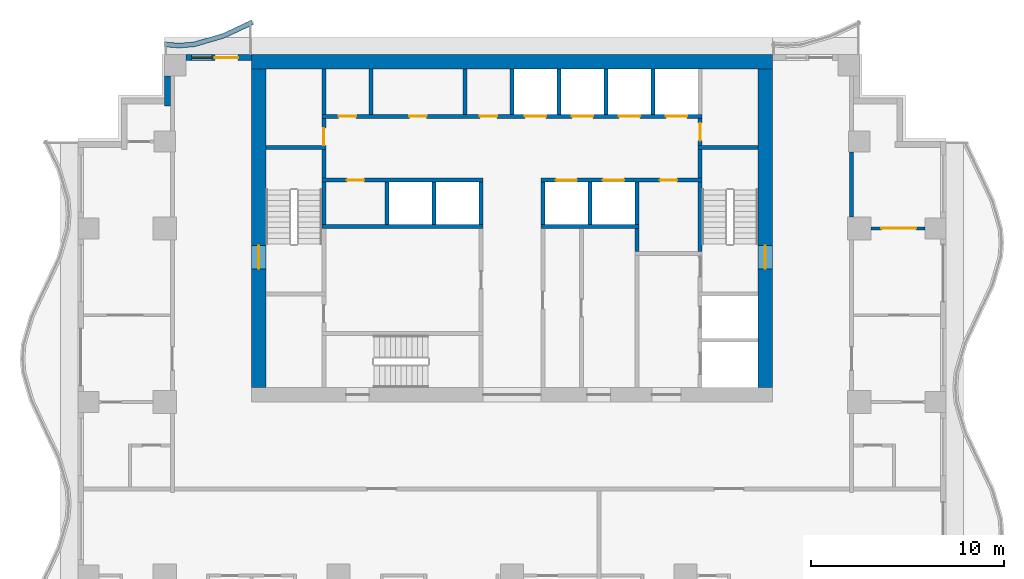
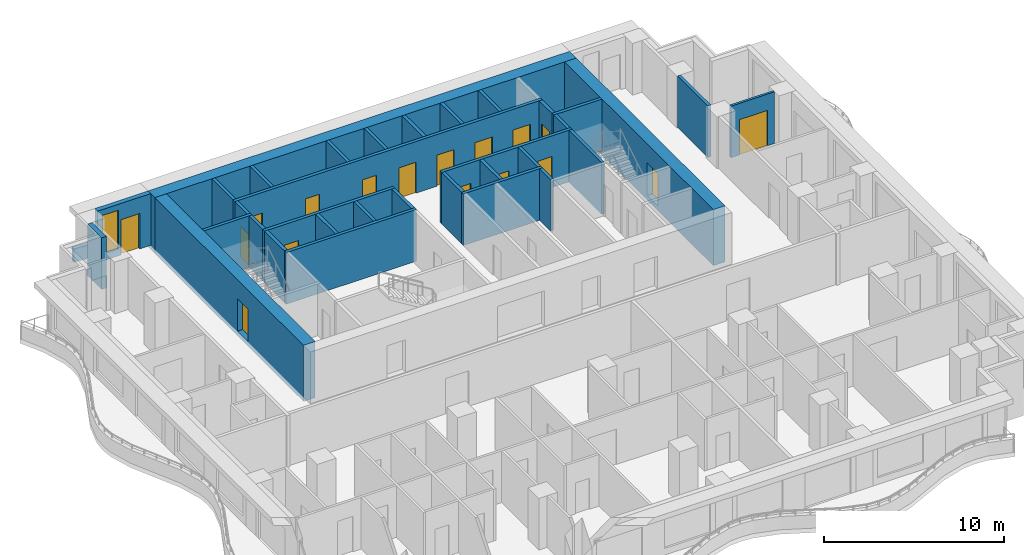
# One storey, part 5 of 10: 35 walls, 17 doors, 1 window, 18 openings.
"""IFC4 building model written with IfcOpenShell, lengths in metres."""

from ifc_helpers import new_model, si_unit, direction, frame, frame_2d, origin, place, context, subcontext, project, spatial, polyline, rectangle, outline, extrude, material, layer, layer_set, type_object, element, fill, save


model = new_model("IFC4")

# Units and contexts
model_context = context("Model", 3, precision=1e-05, world=origin(), true_north=direction((0.0, 1.0)))
body_context = subcontext(model_context, "Body", "Model", "MODEL_VIEW")
ifc_project = project(units=[si_unit("LENGTHUNIT", "METRE"), si_unit("AREAUNIT", "SQUARE_METRE"), si_unit("VOLUMEUNIT", "CUBIC_METRE"), si_unit("PLANEANGLEUNIT", "RADIAN"), si_unit("MASSUNIT", "GRAM", prefix="KILO")], contexts=[model_context])

# Site, building, storey
site_placement = place(None, origin())
site = spatial("IfcSite", under=ifc_project, at=site_placement, CompositionType="ELEMENT")
building_placement = place(site_placement, origin())
building = spatial("IfcBuilding", under=site, at=building_placement, Name="Orbiselva Terraces", CompositionType="ELEMENT")
storey_placement = place(building_placement, frame((0.0, 0.0, 159.2)))
storey = spatial("IfcBuildingStorey", under=building, at=storey_placement, Name="L40", CompositionType="ELEMENT", Elevation=159.2)

# Wall, opening, door
ifc_material_1 = material(Name="Concrete C80/95", Category="concrete")
ifc_layer_1 = layer(ifc_material_1, 0.75)
ifc_layer_set_1 = layer_set([ifc_layer_1], Name="Concrete C80/95")
wall_type_1 = type_object("IfcWallType", Name="CORE WALL 750", PredefinedType="SHEAR", material=ifc_layer_set_1)
wall_1_placement = place(storey_placement, frame((13.125, 5.25, -0.3), z_axis=(0.0, 0.0, 1.0), x_axis=(0.0, 1.0, 0.0)))
wall_1 = element("IfcWall", 1, at=wall_1_placement, inside=storey, type_object=wall_type_1, Name="Core wall L40 east", PredefinedType="SHEAR", context=body_context, shape_type="SweptSolid", body=[
    extrude(rectangle(XDim=16.5, YDim=0.75, at=frame_2d((8.25, 0.0))), origin(), (0.0, 0.0, 1.0), 3.8),
])
opening_1_placement = place(wall_1_placement, frame((6.15, 0.0, 0.3)))
opening_1 = element("IfcOpeningElement", 2, at=opening_1_placement, cuts=wall_1, Name="Opening DS1200", PredefinedType="OPENING", context=body_context, shape_type="SweptSolid", body=[
    extrude(rectangle(XDim=1.2, YDim=2.2, at=frame_2d((0.6, 1.1))), frame((0.0, 0.385, 0.0), z_axis=(0.0, -1.0, 0.0), x_axis=(1.0, 0.0, 0.0)), (0.0, 0.0, 1.0), 0.77),
])
ifc_material_2 = material(Name="Steel fire door", Category="steel")
door_type_1 = type_object("IfcDoorType", Name="STAIR DOOR 1200", OperationType="NOTDEFINED", PredefinedType="DOOR", material=ifc_material_2)
door_1_placement = place(opening_1_placement, frame((1.2, 0.0, 0.0), z_axis=(0.0, 0.0, 1.0), x_axis=(-1.0, 0.0, 0.0)))
door_1 = element("IfcDoor", 3, at=door_1_placement, inside=storey, type_object=door_type_1, Name="L40 EXIT STAIR S2 door", OperationType="SINGLE_SWING_LEFT", OverallHeight=2.2, OverallWidth=1.2, PredefinedType="DOOR", context=body_context, shape_type="SweptSolid", body=[
    extrude(rectangle(XDim=1.2, YDim=2.2, at=frame_2d((0.6, 1.1))), frame((0.0, 0.025, 0.0), z_axis=(0.0, -1.0, 0.0), x_axis=(1.0, 0.0, 0.0)), (0.0, 0.0, 1.0), 0.05),
])
fill(opening_1, door_1)

wall_2_placement = place(storey_placement, frame((-13.125, 21.75, -0.3), z_axis=(0.0, 0.0, 1.0), x_axis=(0.0, -1.0, 0.0)))
wall_2 = element("IfcWall", 4, at=wall_2_placement, inside=storey, type_object=wall_type_1, Name="Core wall L40 west", PredefinedType="SHEAR", context=body_context, shape_type="SweptSolid", body=[
    extrude(rectangle(XDim=16.5, YDim=0.75, at=frame_2d((8.25, 0.0))), origin(), (0.0, 0.0, 1.0), 3.8),
])
opening_2_placement = place(wall_2_placement, frame((9.15, 0.0, 0.3)))
opening_2 = element("IfcOpeningElement", 5, at=opening_2_placement, cuts=wall_2, Name="Opening DS1200", PredefinedType="OPENING", context=body_context, shape_type="SweptSolid", body=[
    extrude(rectangle(XDim=1.2, YDim=2.2, at=frame_2d((0.6, 1.1))), frame((0.0, 0.385, 0.0), z_axis=(0.0, -1.0, 0.0), x_axis=(1.0, 0.0, 0.0)), (0.0, 0.0, 1.0), 0.77),
])
door_2_placement = place(opening_2_placement, frame((1.2, 0.0, 0.0), z_axis=(0.0, 0.0, 1.0), x_axis=(-1.0, 0.0, 0.0)))
door_2 = element("IfcDoor", 6, at=door_2_placement, inside=storey, type_object=door_type_1, Name="L40 EXIT STAIR S1 door", OperationType="SINGLE_SWING_RIGHT", OverallHeight=2.2, OverallWidth=1.2, PredefinedType="DOOR", context=body_context, shape_type="SweptSolid", body=[
    extrude(rectangle(XDim=1.2, YDim=2.2, at=frame_2d((0.6, 1.1))), frame((0.0, 0.025, 0.0), z_axis=(0.0, -1.0, 0.0), x_axis=(1.0, 0.0, 0.0)), (0.0, 0.0, 1.0), 0.05),
])
fill(opening_2, door_2)

# Wall
ifc_layer_2 = layer(ifc_material_1, 0.75)
ifc_layer_set_2 = layer_set([ifc_layer_2], Name="Concrete C80/95")
wall_type_2 = type_object("IfcWallType", Name="CORE WALL 750 EXTERNAL", PredefinedType="SHEAR", material=ifc_layer_set_2)
wall_3_placement = place(storey_placement, frame((13.5, 22.125, -0.3), z_axis=(0.0, 0.0, 1.0), x_axis=(-1.0, 0.0, 0.0)))
element("IfcWall", 7, at=wall_3_placement, inside=storey, type_object=wall_type_2, Name="Core wall L40 north", PredefinedType="SHEAR", context=body_context, shape_type="SweptSolid", body=[
    extrude(rectangle(XDim=27.0, YDim=0.75, at=frame_2d((13.5, 0.0))), origin(), (0.0, 0.0, 1.0), 3.8),
])

# Wall, opening, door
ifc_material_3 = material(Name="Masonry blockwork", Category="masonry")
ifc_layer_3 = layer(ifc_material_3, 0.2)
ifc_layer_set_3 = layer_set([ifc_layer_3], Name="Masonry blockwork")
wall_type_3 = type_object("IfcWallType", Name="CORE-WALL-PARTITION-200", PredefinedType="PARTITIONING", material=ifc_layer_set_3)
wall_4_placement = place(storey_placement, frame((-9.75, 17.8, 0.0), z_axis=(0.0, 0.0, 1.0), x_axis=(0.0, 1.0, 0.0)))
wall_4 = element("IfcWall", 8, at=wall_4_placement, inside=storey, type_object=wall_type_3, Name="L40 core wall 11", PredefinedType="PARTITIONING", context=body_context, shape_type="SweptSolid", body=[
    extrude(rectangle(XDim=1.4, YDim=0.2, at=frame_2d((0.7, 0.0))), origin(), (0.0, 0.0, 1.0), 3.5),
])
opening_3_placement = place(wall_4_placement, origin())
opening_3 = element("IfcOpeningElement", 9, at=opening_3_placement, cuts=wall_4, Name="Opening DR900", PredefinedType="OPENING", context=body_context, shape_type="SweptSolid", body=[
    extrude(rectangle(XDim=0.9, YDim=2.1, at=frame_2d((0.45, 1.05))), frame((0.0, 0.11, 0.0), z_axis=(0.0, -1.0, 0.0), x_axis=(1.0, 0.0, 0.0)), (0.0, 0.0, 1.0), 0.22),
])
door_type_2 = type_object("IfcDoorType", Name="ROOM DOOR 900", OperationType="NOTDEFINED", PredefinedType="DOOR", material=ifc_material_2)
door_3_placement = place(opening_3_placement, origin())
door_3 = element("IfcDoor", 10, at=door_3_placement, inside=storey, type_object=door_type_2, Name="L40 ELECTRICAL RISER ROOM door", OperationType="SINGLE_SWING_LEFT", OverallHeight=2.1, OverallWidth=0.9, PredefinedType="DOOR", context=body_context, shape_type="SweptSolid", body=[
    extrude(rectangle(XDim=0.9, YDim=2.1, at=frame_2d((0.45, 1.05))), frame((0.0, 0.025, 0.0), z_axis=(0.0, -1.0, 0.0), x_axis=(1.0, 0.0, 0.0)), (0.0, 0.0, 1.0), 0.05),
])
fill(opening_3, door_3)

# Walls
for number, where, z_axis, x_axis, name in (
    (11, (-9.75, 19.4, 0.0), (0.0, 0.0, 1.0), (0.0, 1.0, 0.0), "L40 core wall 13"),
    (12, (-7.3125, 19.4, 0.0), (0.0, 0.0, 1.0), (0.0, 1.0, 0.0), "L40 core wall 14"),
    (13, (-2.4375, 19.4, 0.0), (0.0, 0.0, 1.0), (0.0, 1.0, 0.0), "L40 core wall 17"),
):
    element("IfcWall", number, at=place(storey_placement, frame(where, z_axis=z_axis, x_axis=x_axis)), inside=storey, type_object=wall_type_3, Name=name, PredefinedType="PARTITIONING", context=body_context, shape_type="SweptSolid", body=[
        extrude(rectangle(XDim=2.35, YDim=0.2, at=frame_2d((1.175, 0.0))), origin(), (0.0, 0.0, 1.0), 3.5),
    ])
wall_5_placement = place(storey_placement, frame((6.475, 12.3, 0.0), z_axis=(0.0, 0.0, 1.0), x_axis=(0.0, 1.0, 0.0)))
element("IfcWall", 14, at=wall_5_placement, inside=storey, type_object=wall_type_3, Name="L40 core wall 32", PredefinedType="PARTITIONING", context=body_context, shape_type="SweptSolid", body=[
    extrude(rectangle(XDim=1.2, YDim=0.2, at=frame_2d((0.6, 0.0))), origin(), (0.0, 0.0, 1.0), 3.5),
])

# Wall, opening, door
wall_6_placement = place(storey_placement, frame((9.75, 19.2, 0.0), z_axis=(0.0, 0.0, 1.0), x_axis=(0.0, -1.0, 0.0)))
wall_6 = element("IfcWall", 15, at=wall_6_placement, inside=storey, type_object=wall_type_3, Name="L40 core wall 43", PredefinedType="PARTITIONING", context=body_context, shape_type="SweptSolid", body=[
    extrude(rectangle(XDim=1.4, YDim=0.2, at=frame_2d((0.7, 0.0))), origin(), (0.0, 0.0, 1.0), 3.5),
])
opening_4_placement = place(wall_6_placement, frame((0.25, 0.0, 0.0)))
opening_4 = element("IfcOpeningElement", 16, at=opening_4_placement, cuts=wall_6, Name="Opening DR900", PredefinedType="OPENING", context=body_context, shape_type="SweptSolid", body=[
    extrude(rectangle(XDim=0.9, YDim=2.1, at=frame_2d((0.45, 1.05))), frame((0.0, 0.11, 0.0), z_axis=(0.0, -1.0, 0.0), x_axis=(1.0, 0.0, 0.0)), (0.0, 0.0, 1.0), 0.22),
])
door_4_placement = place(opening_4_placement, origin())
door_4 = element("IfcDoor", 17, at=door_4_placement, inside=storey, type_object=door_type_2, Name="L40 COMMS RISER ROOM door", OperationType="SINGLE_SWING_RIGHT", OverallHeight=2.1, OverallWidth=0.9, PredefinedType="DOOR", context=body_context, shape_type="SweptSolid", body=[
    extrude(rectangle(XDim=0.9, YDim=2.1, at=frame_2d((0.45, 1.05))), frame((0.0, 0.025, 0.0), z_axis=(0.0, -1.0, 0.0), x_axis=(1.0, 0.0, 0.0)), (0.0, 0.0, 1.0), 0.05),
])
fill(opening_4, door_4)

# Walls
ifc_material_4 = material(Name="Concrete C40/50", Category="concrete")
ifc_layer_4 = layer(ifc_material_4, 0.2)
ifc_layer_set_4 = layer_set([ifc_layer_4], Name="Concrete C40/50")
wall_type_4 = type_object("IfcWallType", Name="CORE-WALL-SHAFT-200", PredefinedType="PARTITIONING", material=ifc_layer_set_4)
for number, where, z_axis, x_axis, name in (
    (18, (-6.475, 13.7, 0.0), (0.0, 0.0, 1.0), (0.0, 1.0, 0.0), "L40 core wall 15"),
    (19, (-4.0375, 13.7, 0.0), (0.0, 0.0, 1.0), (0.0, 1.0, 0.0), "L40 core wall 16"),
    (20, (-1.6, 13.7, 0.0), (0.0, 0.0, 1.0), (0.0, 1.0, 0.0), "L40 core wall 20"),
):
    element("IfcWall", number, at=place(storey_placement, frame(where, z_axis=z_axis, x_axis=x_axis)), inside=storey, type_object=wall_type_4, Name=name, PredefinedType="PARTITIONING", context=body_context, shape_type="SweptSolid", body=[
        extrude(rectangle(XDim=2.2, YDim=0.2, at=frame_2d((1.1, 0.0))), origin(), (0.0, 0.0, 1.0), 3.5),
    ])
wall_7_placement = place(storey_placement, frame((0.0, 19.4, 0.0), z_axis=(0.0, 0.0, 1.0), x_axis=(0.0, 1.0, 0.0)))
element("IfcWall", 21, at=wall_7_placement, inside=storey, type_object=wall_type_4, Name="L40 core wall 21", PredefinedType="PARTITIONING", context=body_context, shape_type="SweptSolid", body=[
    extrude(rectangle(XDim=2.35, YDim=0.2, at=frame_2d((1.175, 0.0))), origin(), (0.0, 0.0, 1.0), 3.5),
])
wall_8_placement = place(storey_placement, frame((1.6, 13.7, 0.0), z_axis=(0.0, 0.0, 1.0), x_axis=(0.0, 1.0, 0.0)))
element("IfcWall", 22, at=wall_8_placement, inside=storey, type_object=wall_type_4, Name="L40 core wall 24", PredefinedType="PARTITIONING", context=body_context, shape_type="SweptSolid", body=[
    extrude(rectangle(XDim=2.2, YDim=0.2, at=frame_2d((1.1, 0.0))), origin(), (0.0, 0.0, 1.0), 3.5),
])
wall_9_placement = place(storey_placement, frame((2.4375, 19.4, 0.0), z_axis=(0.0, 0.0, 1.0), x_axis=(0.0, 1.0, 0.0)))
element("IfcWall", 23, at=wall_9_placement, inside=storey, type_object=wall_type_4, Name="L40 core wall 26", PredefinedType="PARTITIONING", context=body_context, shape_type="SweptSolid", body=[
    extrude(rectangle(XDim=2.35, YDim=0.2, at=frame_2d((1.175, 0.0))), origin(), (0.0, 0.0, 1.0), 3.5),
])
wall_10_placement = place(storey_placement, frame((4.0375, 13.7, 0.0), z_axis=(0.0, 0.0, 1.0), x_axis=(0.0, 1.0, 0.0)))
element("IfcWall", 24, at=wall_10_placement, inside=storey, type_object=wall_type_4, Name="L40 core wall 28", PredefinedType="PARTITIONING", context=body_context, shape_type="SweptSolid", body=[
    extrude(rectangle(XDim=2.2, YDim=0.2, at=frame_2d((1.1, 0.0))), origin(), (0.0, 0.0, 1.0), 3.5),
])
wall_11_placement = place(storey_placement, frame((4.875, 19.4, 0.0), z_axis=(0.0, 0.0, 1.0), x_axis=(0.0, 1.0, 0.0)))
element("IfcWall", 25, at=wall_11_placement, inside=storey, type_object=wall_type_4, Name="L40 core wall 29", PredefinedType="PARTITIONING", context=body_context, shape_type="SweptSolid", body=[
    extrude(rectangle(XDim=2.35, YDim=0.2, at=frame_2d((1.175, 0.0))), origin(), (0.0, 0.0, 1.0), 3.5),
])
wall_12_placement = place(storey_placement, frame((6.475, 13.7, 0.0), z_axis=(0.0, 0.0, 1.0), x_axis=(0.0, 1.0, 0.0)))
element("IfcWall", 26, at=wall_12_placement, inside=storey, type_object=wall_type_4, Name="L40 core wall 33", PredefinedType="PARTITIONING", context=body_context, shape_type="SweptSolid", body=[
    extrude(rectangle(XDim=2.2, YDim=0.2, at=frame_2d((1.1, 0.0))), origin(), (0.0, 0.0, 1.0), 3.5),
])
wall_13_placement = place(storey_placement, frame((7.3125, 19.4, 0.0), z_axis=(0.0, 0.0, 1.0), x_axis=(0.0, 1.0, 0.0)))
element("IfcWall", 27, at=wall_13_placement, inside=storey, type_object=wall_type_4, Name="L40 core wall 34", PredefinedType="PARTITIONING", context=body_context, shape_type="SweptSolid", body=[
    extrude(rectangle(XDim=2.35, YDim=0.2, at=frame_2d((1.175, 0.0))), origin(), (0.0, 0.0, 1.0), 3.5),
])
ifc_material_5 = material(Name="Concrete C60/75", Category="concrete")
ifc_layer_5 = layer(ifc_material_5, 0.2)
ifc_layer_set_5 = layer_set([ifc_layer_5], Name="Concrete C60/75")
wall_type_5 = type_object("IfcWallType", Name="CORE-WALL-SHEAR-200", PredefinedType="SHEAR", material=ifc_layer_set_5)
wall_14_placement = place(storey_placement, frame((-12.75, 17.7, 0.0), z_axis=(0.0, 0.0, 1.0), x_axis=(1.0, 0.0, 0.0)))
element("IfcWall", 28, at=wall_14_placement, inside=storey, type_object=wall_type_5, Name="L40 core wall 02", PredefinedType="SHEAR", context=body_context, shape_type="SweptSolid", body=[
    extrude(rectangle(XDim=3.1, YDim=0.2, at=frame_2d((1.55, 0.0))), origin(), (0.0, 0.0, 1.0), 3.5),
])
wall_15_placement = place(storey_placement, frame((-9.85, 13.6, 0.0), z_axis=(0.0, 0.0, 1.0), x_axis=(1.0, 0.0, 0.0)))
element("IfcWall", 29, at=wall_15_placement, inside=storey, type_object=wall_type_5, Name="L40 core wall 07", PredefinedType="SHEAR", context=body_context, shape_type="SweptSolid", body=[
    extrude(rectangle(XDim=8.35, YDim=0.2, at=frame_2d((4.175, 0.0))), origin(), (0.0, 0.0, 1.0), 3.5),
])
wall_16_placement = place(storey_placement, frame((-9.75, 13.7, 0.0), z_axis=(0.0, 0.0, 1.0), x_axis=(0.0, 1.0, 0.0)))
element("IfcWall", 30, at=wall_16_placement, inside=storey, type_object=wall_type_5, Name="L40 core wall 08", PredefinedType="SHEAR", context=body_context, shape_type="SweptSolid", body=[
    extrude(rectangle(XDim=2.2, YDim=0.2, at=frame_2d((1.1, 0.0))), origin(), (0.0, 0.0, 1.0), 3.5),
])

# Wall, opening, door
wall_17_placement = place(storey_placement, frame((-1.5, 16.0, 0.0), z_axis=(0.0, 0.0, 1.0), x_axis=(-1.0, 0.0, 0.0)))
wall_17 = element("IfcWall", 31, at=wall_17_placement, inside=storey, type_object=wall_type_5, Name="L40 core wall 09", PredefinedType="SHEAR", context=body_context, shape_type="SweptSolid", body=[
    extrude(rectangle(XDim=8.35, YDim=0.2, at=frame_2d((4.175, 0.0))), origin(), (0.0, 0.0, 1.0), 3.5),
])
opening_5_placement = place(wall_17_placement, frame((6.1625, 0.0, 0.0)))
opening_5 = element("IfcOpeningElement", 32, at=opening_5_placement, cuts=wall_17, Name="Opening DR900", PredefinedType="OPENING", context=body_context, shape_type="SweptSolid", body=[
    extrude(rectangle(XDim=0.9, YDim=2.1, at=frame_2d((0.45, 1.05))), frame((0.0, 0.11, 0.0), z_axis=(0.0, -1.0, 0.0), x_axis=(1.0, 0.0, 0.0)), (0.0, 0.0, 1.0), 0.22),
])
door_5_placement = place(opening_5_placement, origin())
door_5 = element("IfcDoor", 33, at=door_5_placement, inside=storey, type_object=door_type_2, Name="L40 IT ROOM door", OperationType="SINGLE_SWING_RIGHT", OverallHeight=2.1, OverallWidth=0.9, PredefinedType="DOOR", context=body_context, shape_type="SweptSolid", body=[
    extrude(rectangle(XDim=0.9, YDim=2.1, at=frame_2d((0.45, 1.05))), frame((0.0, 0.025, 0.0), z_axis=(0.0, -1.0, 0.0), x_axis=(1.0, 0.0, 0.0)), (0.0, 0.0, 1.0), 0.05),
])
fill(opening_5, door_5)

# Wall
wall_18_placement = place(storey_placement, frame((-9.75, 16.1, 0.0), z_axis=(0.0, 0.0, 1.0), x_axis=(0.0, 1.0, 0.0)))
element("IfcWall", 34, at=wall_18_placement, inside=storey, type_object=wall_type_5, Name="L40 core wall 10", PredefinedType="SHEAR", context=body_context, shape_type="SweptSolid", body=[
    extrude(rectangle(XDim=1.5, YDim=0.2, at=frame_2d((0.75, 0.0))), origin(), (0.0, 0.0, 1.0), 3.5),
])

# Wall, openings, doors
wall_19_placement = place(storey_placement, frame((-9.85, 19.3, 0.0), z_axis=(0.0, 0.0, 1.0), x_axis=(1.0, 0.0, 0.0)))
wall_19 = element("IfcWall", 35, at=wall_19_placement, inside=storey, type_object=wall_type_5, Name="L40 core wall 12", PredefinedType="SHEAR", context=body_context, shape_type="SweptSolid", body=[
    extrude(rectangle(XDim=19.7, YDim=0.2, at=frame_2d((9.85, 0.0))), origin(), (0.0, 0.0, 1.0), 3.5),
])
opening_6_placement = place(wall_19_placement, frame((10.51875, 0.0, 0.0)))
opening_6 = element("IfcOpeningElement", 36, at=opening_6_placement, cuts=wall_19, Name="Opening LD-HR1", PredefinedType="OPENING", context=body_context, shape_type="SweptSolid", body=[
    extrude(rectangle(XDim=1.1, YDim=2.1, at=frame_2d((0.55, 1.05))), frame((0.0, 0.11, 0.0), z_axis=(0.0, -1.0, 0.0), x_axis=(1.0, 0.0, 0.0)), (0.0, 0.0, 1.0), 0.22),
])
opening_7_placement = place(wall_19_placement, frame((12.95625, 0.0, 0.0)))
opening_7 = element("IfcOpeningElement", 37, at=opening_7_placement, cuts=wall_19, Name="Opening LD-HR2", PredefinedType="OPENING", context=body_context, shape_type="SweptSolid", body=[
    extrude(rectangle(XDim=1.1, YDim=2.1, at=frame_2d((0.55, 1.05))), frame((0.0, 0.11, 0.0), z_axis=(0.0, -1.0, 0.0), x_axis=(1.0, 0.0, 0.0)), (0.0, 0.0, 1.0), 0.22),
])
opening_8_placement = place(wall_19_placement, frame((15.39375, 0.0, 0.0)))
opening_8 = element("IfcOpeningElement", 38, at=opening_8_placement, cuts=wall_19, Name="Opening LD-HR3", PredefinedType="OPENING", context=body_context, shape_type="SweptSolid", body=[
    extrude(rectangle(XDim=1.1, YDim=2.1, at=frame_2d((0.55, 1.05))), frame((0.0, 0.11, 0.0), z_axis=(0.0, -1.0, 0.0), x_axis=(1.0, 0.0, 0.0)), (0.0, 0.0, 1.0), 0.22),
])
opening_9_placement = place(wall_19_placement, frame((17.83125, 0.0, 0.0)))
opening_9 = element("IfcOpeningElement", 39, at=opening_9_placement, cuts=wall_19, Name="Opening LD-HR4", PredefinedType="OPENING", context=body_context, shape_type="SweptSolid", body=[
    extrude(rectangle(XDim=1.1, YDim=2.1, at=frame_2d((0.55, 1.05))), frame((0.0, 0.11, 0.0), z_axis=(0.0, -1.0, 0.0), x_axis=(1.0, 0.0, 0.0)), (0.0, 0.0, 1.0), 0.22),
])
opening_10_placement = place(wall_19_placement, frame((0.8688, 0.0, 0.0)))
opening_10 = element("IfcOpeningElement", 40, at=opening_10_placement, cuts=wall_19, Name="Opening DR900", PredefinedType="OPENING", context=body_context, shape_type="SweptSolid", body=[
    extrude(rectangle(XDim=0.9, YDim=2.1, at=frame_2d((0.45, 1.05))), frame((0.0, 0.11, 0.0), z_axis=(0.0, -1.0, 0.0), x_axis=(1.0, 0.0, 0.0)), (0.0, 0.0, 1.0), 0.22),
])
opening_11_placement = place(wall_19_placement, frame((4.525, 0.0, 0.0)))
opening_11 = element("IfcOpeningElement", 41, at=opening_11_placement, cuts=wall_19, Name="Opening DR900", PredefinedType="OPENING", context=body_context, shape_type="SweptSolid", body=[
    extrude(rectangle(XDim=0.9, YDim=2.1, at=frame_2d((0.45, 1.05))), frame((0.0, 0.11, 0.0), z_axis=(0.0, -1.0, 0.0), x_axis=(1.0, 0.0, 0.0)), (0.0, 0.0, 1.0), 0.22),
])
opening_12_placement = place(wall_19_placement, frame((8.1812, 0.0, 0.0)))
opening_12 = element("IfcOpeningElement", 42, at=opening_12_placement, cuts=wall_19, Name="Opening DR900", PredefinedType="OPENING", context=body_context, shape_type="SweptSolid", body=[
    extrude(rectangle(XDim=0.9, YDim=2.1, at=frame_2d((0.45, 1.05))), frame((0.0, 0.11, 0.0), z_axis=(0.0, -1.0, 0.0), x_axis=(1.0, 0.0, 0.0)), (0.0, 0.0, 1.0), 0.22),
])
ifc_material_6 = material(Name="Stainless steel landing door", Category="steel")
door_type_3 = type_object("IfcDoorType", Name="LANDING DOOR 1100", OperationType="SLIDING_TO_LEFT", PredefinedType="DOOR", material=ifc_material_6)
door_6_placement = place(opening_6_placement, origin())
door_6 = element("IfcDoor", 43, at=door_6_placement, inside=storey, type_object=door_type_3, Name="L40 landing door HR1", OperationType="SLIDING_TO_RIGHT", OverallHeight=2.1, OverallWidth=1.1, PredefinedType="DOOR", context=body_context, shape_type="SweptSolid", body=[
    extrude(rectangle(XDim=1.1, YDim=2.1, at=frame_2d((0.55, 1.05))), frame((0.0, 0.025, 0.0), z_axis=(0.0, -1.0, 0.0), x_axis=(1.0, 0.0, 0.0)), (0.0, 0.0, 1.0), 0.05),
])
fill(opening_6, door_6)
door_7_placement = place(opening_7_placement, origin())
door_7 = element("IfcDoor", 44, at=door_7_placement, inside=storey, type_object=door_type_3, Name="L40 landing door HR2", OperationType="SLIDING_TO_RIGHT", OverallHeight=2.1, OverallWidth=1.1, PredefinedType="DOOR", context=body_context, shape_type="SweptSolid", body=[
    extrude(rectangle(XDim=1.1, YDim=2.1, at=frame_2d((0.55, 1.05))), frame((0.0, 0.025, 0.0), z_axis=(0.0, -1.0, 0.0), x_axis=(1.0, 0.0, 0.0)), (0.0, 0.0, 1.0), 0.05),
])
fill(opening_7, door_7)
door_8_placement = place(opening_8_placement, origin())
door_8 = element("IfcDoor", 45, at=door_8_placement, inside=storey, type_object=door_type_3, Name="L40 landing door HR3", OperationType="SLIDING_TO_RIGHT", OverallHeight=2.1, OverallWidth=1.1, PredefinedType="DOOR", context=body_context, shape_type="SweptSolid", body=[
    extrude(rectangle(XDim=1.1, YDim=2.1, at=frame_2d((0.55, 1.05))), frame((0.0, 0.025, 0.0), z_axis=(0.0, -1.0, 0.0), x_axis=(1.0, 0.0, 0.0)), (0.0, 0.0, 1.0), 0.05),
])
fill(opening_8, door_8)
door_9_placement = place(opening_9_placement, origin())
door_9 = element("IfcDoor", 46, at=door_9_placement, inside=storey, type_object=door_type_3, Name="L40 landing door HR4", OperationType="SLIDING_TO_RIGHT", OverallHeight=2.1, OverallWidth=1.1, PredefinedType="DOOR", context=body_context, shape_type="SweptSolid", body=[
    extrude(rectangle(XDim=1.1, YDim=2.1, at=frame_2d((0.55, 1.05))), frame((0.0, 0.025, 0.0), z_axis=(0.0, -1.0, 0.0), x_axis=(1.0, 0.0, 0.0)), (0.0, 0.0, 1.0), 0.05),
])
fill(opening_9, door_9)
door_10_placement = place(opening_10_placement, origin())
door_10 = element("IfcDoor", 47, at=door_10_placement, inside=storey, type_object=door_type_2, Name="L40 STORE door", OperationType="SINGLE_SWING_LEFT", OverallHeight=2.1, OverallWidth=0.9, PredefinedType="DOOR", context=body_context, shape_type="SweptSolid", body=[
    extrude(rectangle(XDim=0.9, YDim=2.1, at=frame_2d((0.45, 1.05))), frame((0.0, 0.025, 0.0), z_axis=(0.0, -1.0, 0.0), x_axis=(1.0, 0.0, 0.0)), (0.0, 0.0, 1.0), 0.05),
])
fill(opening_10, door_10)
door_11_placement = place(opening_11_placement, origin())
door_11 = element("IfcDoor", 48, at=door_11_placement, inside=storey, type_object=door_type_2, Name="L40 IT ROOM door", OperationType="SINGLE_SWING_LEFT", OverallHeight=2.1, OverallWidth=0.9, PredefinedType="DOOR", context=body_context, shape_type="SweptSolid", body=[
    extrude(rectangle(XDim=0.9, YDim=2.1, at=frame_2d((0.45, 1.05))), frame((0.0, 0.025, 0.0), z_axis=(0.0, -1.0, 0.0), x_axis=(1.0, 0.0, 0.0)), (0.0, 0.0, 1.0), 0.05),
])
fill(opening_11, door_11)
door_12_placement = place(opening_12_placement, origin())
door_12 = element("IfcDoor", 49, at=door_12_placement, inside=storey, type_object=door_type_2, Name="L40 CLEANERS STORE door", OperationType="SINGLE_SWING_LEFT", OverallHeight=2.1, OverallWidth=0.9, PredefinedType="DOOR", context=body_context, shape_type="SweptSolid", body=[
    extrude(rectangle(XDim=0.9, YDim=2.1, at=frame_2d((0.45, 1.05))), frame((0.0, 0.025, 0.0), z_axis=(0.0, -1.0, 0.0), x_axis=(1.0, 0.0, 0.0)), (0.0, 0.0, 1.0), 0.05),
])
fill(opening_12, door_12)

# Wall
wall_20_placement = place(storey_placement, frame((1.5, 13.6, 0.0), z_axis=(0.0, 0.0, 1.0), x_axis=(1.0, 0.0, 0.0)))
element("IfcWall", 50, at=wall_20_placement, inside=storey, type_object=wall_type_5, Name="L40 core wall 23", PredefinedType="SHEAR", context=body_context, shape_type="SweptSolid", body=[
    extrude(rectangle(XDim=5.075, YDim=0.2, at=frame_2d((2.5375, 0.0))), origin(), (0.0, 0.0, 1.0), 3.5),
])

# Wall, openings, doors
wall_21_placement = place(storey_placement, frame((9.85, 16.0, 0.0), z_axis=(0.0, 0.0, 1.0), x_axis=(-1.0, 0.0, 0.0)))
wall_21 = element("IfcWall", 51, at=wall_21_placement, inside=storey, type_object=wall_type_5, Name="L40 core wall 25", PredefinedType="SHEAR", context=body_context, shape_type="SweptSolid", body=[
    extrude(rectangle(XDim=8.35, YDim=0.2, at=frame_2d((4.175, 0.0))), origin(), (0.0, 0.0, 1.0), 3.5),
])
opening_13_placement = place(wall_21_placement, frame((6.48125, 0.0, 0.0)))
opening_13 = element("IfcOpeningElement", 52, at=opening_13_placement, cuts=wall_21, Name="Opening LD-HR5", PredefinedType="OPENING", context=body_context, shape_type="SweptSolid", body=[
    extrude(rectangle(XDim=1.1, YDim=2.1, at=frame_2d((0.55, 1.05))), frame((0.0, 0.11, 0.0), z_axis=(0.0, -1.0, 0.0), x_axis=(1.0, 0.0, 0.0)), (0.0, 0.0, 1.0), 0.22),
])
opening_14_placement = place(wall_21_placement, frame((4.04375, 0.0, 0.0)))
opening_14 = element("IfcOpeningElement", 53, at=opening_14_placement, cuts=wall_21, Name="Opening LD-HR6", PredefinedType="OPENING", context=body_context, shape_type="SweptSolid", body=[
    extrude(rectangle(XDim=1.1, YDim=2.1, at=frame_2d((0.55, 1.05))), frame((0.0, 0.11, 0.0), z_axis=(0.0, -1.0, 0.0), x_axis=(1.0, 0.0, 0.0)), (0.0, 0.0, 1.0), 0.22),
])
opening_15_placement = place(wall_21_placement, frame((1.2875, 0.0, 0.0)))
opening_15 = element("IfcOpeningElement", 54, at=opening_15_placement, cuts=wall_21, Name="Opening DR900", PredefinedType="OPENING", context=body_context, shape_type="SweptSolid", body=[
    extrude(rectangle(XDim=0.9, YDim=2.1, at=frame_2d((0.45, 1.05))), frame((0.0, 0.11, 0.0), z_axis=(0.0, -1.0, 0.0), x_axis=(1.0, 0.0, 0.0)), (0.0, 0.0, 1.0), 0.22),
])
door_13_placement = place(opening_13_placement, origin())
door_13 = element("IfcDoor", 55, at=door_13_placement, inside=storey, type_object=door_type_3, Name="L40 landing door HR5", OperationType="SLIDING_TO_RIGHT", OverallHeight=2.1, OverallWidth=1.1, PredefinedType="DOOR", context=body_context, shape_type="SweptSolid", body=[
    extrude(rectangle(XDim=1.1, YDim=2.1, at=frame_2d((0.55, 1.05))), frame((0.0, 0.025, 0.0), z_axis=(0.0, -1.0, 0.0), x_axis=(1.0, 0.0, 0.0)), (0.0, 0.0, 1.0), 0.05),
])
fill(opening_13, door_13)
door_14_placement = place(opening_14_placement, origin())
door_14 = element("IfcDoor", 56, at=door_14_placement, inside=storey, type_object=door_type_3, Name="L40 landing door HR6", OperationType="SLIDING_TO_RIGHT", OverallHeight=2.1, OverallWidth=1.1, PredefinedType="DOOR", context=body_context, shape_type="SweptSolid", body=[
    extrude(rectangle(XDim=1.1, YDim=2.1, at=frame_2d((0.55, 1.05))), frame((0.0, 0.025, 0.0), z_axis=(0.0, -1.0, 0.0), x_axis=(1.0, 0.0, 0.0)), (0.0, 0.0, 1.0), 0.05),
])
fill(opening_14, door_14)
door_15_placement = place(opening_15_placement, origin())
door_15 = element("IfcDoor", 57, at=door_15_placement, inside=storey, type_object=door_type_2, Name="L40 PIPE RISER ROOM door", OperationType="SINGLE_SWING_LEFT", OverallHeight=2.1, OverallWidth=0.9, PredefinedType="DOOR", context=body_context, shape_type="SweptSolid", body=[
    extrude(rectangle(XDim=0.9, YDim=2.1, at=frame_2d((0.45, 1.05))), frame((0.0, 0.025, 0.0), z_axis=(0.0, -1.0, 0.0), x_axis=(1.0, 0.0, 0.0)), (0.0, 0.0, 1.0), 0.05),
])
fill(opening_15, door_15)

# Walls
wall_22_placement = place(storey_placement, frame((9.75, 12.3, 0.0), z_axis=(0.0, 0.0, 1.0), x_axis=(0.0, 1.0, 0.0)))
element("IfcWall", 58, at=wall_22_placement, inside=storey, type_object=wall_type_5, Name="L40 core wall 40", PredefinedType="SHEAR", context=body_context, shape_type="SweptSolid", body=[
    extrude(rectangle(XDim=3.6, YDim=0.2, at=frame_2d((1.8, 0.0))), origin(), (0.0, 0.0, 1.0), 3.5),
])
wall_23_placement = place(storey_placement, frame((9.75, 16.1, 0.0), z_axis=(0.0, 0.0, 1.0), x_axis=(0.0, 1.0, 0.0)))
element("IfcWall", 59, at=wall_23_placement, inside=storey, type_object=wall_type_5, Name="L40 core wall 41", PredefinedType="SHEAR", context=body_context, shape_type="SweptSolid", body=[
    extrude(rectangle(XDim=1.5, YDim=0.2, at=frame_2d((0.75, 0.0))), origin(), (0.0, 0.0, 1.0), 3.5),
])
wall_24_placement = place(storey_placement, frame((9.65, 17.7, 0.0), z_axis=(0.0, 0.0, 1.0), x_axis=(1.0, 0.0, 0.0)))
element("IfcWall", 60, at=wall_24_placement, inside=storey, type_object=wall_type_5, Name="L40 core wall 42", PredefinedType="SHEAR", context=body_context, shape_type="SweptSolid", body=[
    extrude(rectangle(XDim=3.1, YDim=0.2, at=frame_2d((1.55, 0.0))), origin(), (0.0, 0.0, 1.0), 3.5),
])
ifc_layer_6 = layer(ifc_material_4, 0.25)
ifc_layer_set_6 = layer_set([ifc_layer_6], Name="Concrete C40/50")
wall_type_6 = type_object("IfcWallType", Name="ENV-PLANTER-250x900", PredefinedType="USERDEFINED", material=ifc_layer_set_6)
wall_25_placement = place(storey_placement, origin())
element("IfcWall", 61, at=wall_25_placement, inside=storey, type_object=wall_type_6, Name="Balcony planter L40 NW", ObjectType="PLANTER", PredefinedType="USERDEFINED", context=body_context, shape_type="SweptSolid", body=[
    extrude(outline(polyline([(-13.5, 24.3), (-15.0, 23.594658), (-16.5, 23.158732), (-17.25, 23.1), (-18.0, 23.158732), (-18.019518, 22.909495), (-17.25, 22.849235), (-16.454886, 22.911499), (-14.911382, 23.360069), (-13.393617, 24.073764), (-13.5, 24.3)])), origin(), (0.0, 0.0, 1.0), 0.9),
])

# Wall, openings, door, window
ifc_material_7 = material(Name="Terracotta cladding on masonry backing", Category="masonry")
ifc_layer_7 = layer(ifc_material_7, 0.3)
ifc_layer_set_7 = layer_set([ifc_layer_7], Name="Terracotta cladding on masonry backing")
wall_type_7 = type_object("IfcWallType", Name="ENV-WALL-TERRACOTTA-300", PredefinedType="SOLIDWALL", material=ifc_layer_set_7)
wall_26_placement = place(storey_placement, frame((-16.9, 22.35, 0.0), z_axis=(0.0, 0.0, 1.0), x_axis=(1.0, 0.0, 0.0)))
wall_26 = element("IfcWall", 62, at=wall_26_placement, inside=storey, type_object=wall_type_7, Name="Facade wall L40 NW", PredefinedType="SOLIDWALL", context=body_context, shape_type="SweptSolid", body=[
    extrude(rectangle(XDim=3.4, YDim=0.3, at=frame_2d((1.7, 0.0))), origin(), (0.0, 0.0, 1.0), 3.5),
])
opening_16_placement = place(wall_26_placement, frame((1.5, 0.0, 0.0)))
opening_16 = element("IfcOpeningElement", 63, at=opening_16_placement, cuts=wall_26, Name="Opening Z3-D-E06", PredefinedType="OPENING", context=body_context, shape_type="SweptSolid", body=[
    extrude(rectangle(XDim=1.2, YDim=2.4, at=frame_2d((0.6, 1.2))), frame((0.0, 0.16, 0.0), z_axis=(0.0, -1.0, 0.0), x_axis=(1.0, 0.0, 0.0)), (0.0, 0.0, 1.0), 0.32),
])
opening_17_placement = place(wall_26_placement, frame((0.3, 0.0, 0.45)))
opening_17 = element("IfcOpeningElement", 64, at=opening_17_placement, cuts=wall_26, Name="Opening WN13", PredefinedType="OPENING", context=body_context, shape_type="SweptSolid", body=[
    extrude(rectangle(XDim=1.05, YDim=2.65, at=frame_2d((0.525, 1.325))), frame((0.0, 0.16, 0.0), z_axis=(0.0, -1.0, 0.0), x_axis=(1.0, 0.0, 0.0)), (0.0, 0.0, 1.0), 0.32),
])
ifc_material_8 = material(Name="Clear low-e glazing in aluminium frame", Category="aluminium")
door_type_4 = type_object("IfcDoorType", Name="BALCONY DOOR 1200 X 2400", OperationType="DOUBLE_DOOR_SLIDING", PredefinedType="DOOR", material=ifc_material_8)
door_16_placement = place(opening_16_placement, origin())
door_16 = element("IfcDoor", 65, at=door_16_placement, inside=storey, type_object=door_type_4, Name="Z3-D-E06", OperationType="SINGLE_SWING_LEFT", OverallHeight=2.4, OverallWidth=1.2, PredefinedType="DOOR", context=body_context, shape_type="SweptSolid", body=[
    extrude(rectangle(XDim=1.2, YDim=2.4, at=frame_2d((0.6, 1.2))), frame((0.0, 0.025, 0.0), z_axis=(0.0, -1.0, 0.0), x_axis=(1.0, 0.0, 0.0)), (0.0, 0.0, 1.0), 0.05),
])
fill(opening_16, door_16)
window_type = type_object("IfcWindowType", Name="WINDOW 1050 X 2650 S450", PartitioningType="TRIPLE_PANEL_VERTICAL", PredefinedType="WINDOW", material=ifc_material_8)
window_placement = place(opening_17_placement, origin())
window = element("IfcWindow", 66, at=window_placement, inside=storey, type_object=window_type, Name="Window L40 NW", OverallHeight=2.65, OverallWidth=1.05, PartitioningType="SINGLE_PANEL", PredefinedType="WINDOW", context=body_context, shape_type="SweptSolid", body=[
    extrude(rectangle(XDim=1.05, YDim=2.65, at=frame_2d((0.525, 1.325))), frame((0.0, 0.03, 0.0), z_axis=(0.0, -1.0, 0.0), x_axis=(1.0, 0.0, 0.0)), (0.0, 0.0, 1.0), 0.06),
])
fill(opening_17, window)

# Walls
wall_27_placement = place(storey_placement, frame((-17.85, 19.85, 0.0), z_axis=(0.0, 0.0, 1.0), x_axis=(0.0, 1.0, 0.0)))
element("IfcWall", 67, at=wall_27_placement, inside=storey, type_object=wall_type_7, Name="Facade wall L40 STEP", PredefinedType="SOLIDWALL", context=body_context, shape_type="SweptSolid", body=[
    extrude(rectangle(XDim=1.55, YDim=0.3, at=frame_2d((0.775, 0.0))), origin(), (0.0, 0.0, 1.0), 3.5),
])
ifc_material_9 = material(Name="Plasterboard on steel stud partition", Category="steel")
ifc_layer_8 = layer(ifc_material_9, 0.2)
ifc_layer_set_8 = layer_set([ifc_layer_8], Name="Plasterboard on steel stud partition")
wall_type_8 = type_object("IfcWallType", Name="UNIT-ENTRANCE-WALL-200", PredefinedType="PARTITIONING", material=ifc_layer_set_8)
wall_28_placement = place(storey_placement, frame((17.6, 14.1, 0.0), z_axis=(0.0, 0.0, 1.0), x_axis=(0.0, 1.0, 0.0)))
element("IfcWall", 68, at=wall_28_placement, inside=storey, type_object=wall_type_8, Name="PARTITION L40-062", PredefinedType="PARTITIONING", context=body_context, shape_type="SweptSolid", body=[
    extrude(rectangle(XDim=3.35, YDim=0.2, at=frame_2d((1.675, 0.0))), origin(), (0.0, 0.0, 1.0), 3.5),
])

# Wall, opening, door
ifc_layer_9 = layer(ifc_material_9, 0.15)
ifc_layer_set_9 = layer_set([ifc_layer_9], Name="Plasterboard on steel stud partition")
wall_type_9 = type_object("IfcWallType", Name="UNIT-PARTITION-150", PredefinedType="PARTITIONING", material=ifc_layer_set_9)
wall_29_placement = place(storey_placement, frame((18.6, 13.5, 0.0), z_axis=(0.0, 0.0, 1.0), x_axis=(1.0, 0.0, 0.0)))
wall_29 = element("IfcWall", 69, at=wall_29_placement, inside=storey, type_object=wall_type_9, Name="PARTITION L40-034", PredefinedType="PARTITIONING", context=body_context, shape_type="SweptSolid", body=[
    extrude(rectangle(XDim=2.8, YDim=0.15, at=frame_2d((1.4, 0.0))), origin(), (0.0, 0.0, 1.0), 3.5),
])
opening_18_placement = place(wall_29_placement, frame((0.55, 0.0, 0.0)))
opening_18 = element("IfcOpeningElement", 70, at=opening_18_placement, cuts=wall_29, Name="Opening Z3-D-10", PredefinedType="OPENING", context=body_context, shape_type="SweptSolid", body=[
    extrude(rectangle(XDim=1.8, YDim=2.4, at=frame_2d((0.9, 1.2))), frame((0.0, 0.085, 0.0), z_axis=(0.0, -1.0, 0.0), x_axis=(1.0, 0.0, 0.0)), (0.0, 0.0, 1.0), 0.17),
])
ifc_material_10 = material(Name="Painted timber door leaf", Category="wood")
door_type_5 = type_object("IfcDoorType", Name="DOUBLE DOOR 1800", OperationType="NOTDEFINED", PredefinedType="DOOR", material=ifc_material_10)
door_17_placement = place(opening_18_placement, origin())
door_17 = element("IfcDoor", 71, at=door_17_placement, inside=storey, type_object=door_type_5, Name="Z3-D-10", OperationType="DOUBLE_DOOR_SINGLE_SWING", OverallHeight=2.4, OverallWidth=1.8, PredefinedType="DOOR", context=body_context, shape_type="SweptSolid", body=[
    extrude(rectangle(XDim=1.8, YDim=2.4, at=frame_2d((0.9, 1.2))), frame((0.0, 0.025, 0.0), z_axis=(0.0, -1.0, 0.0), x_axis=(1.0, 0.0, 0.0)), (0.0, 0.0, 1.0), 0.05),
])
fill(opening_18, door_17)

save(model, "model.ifc")
